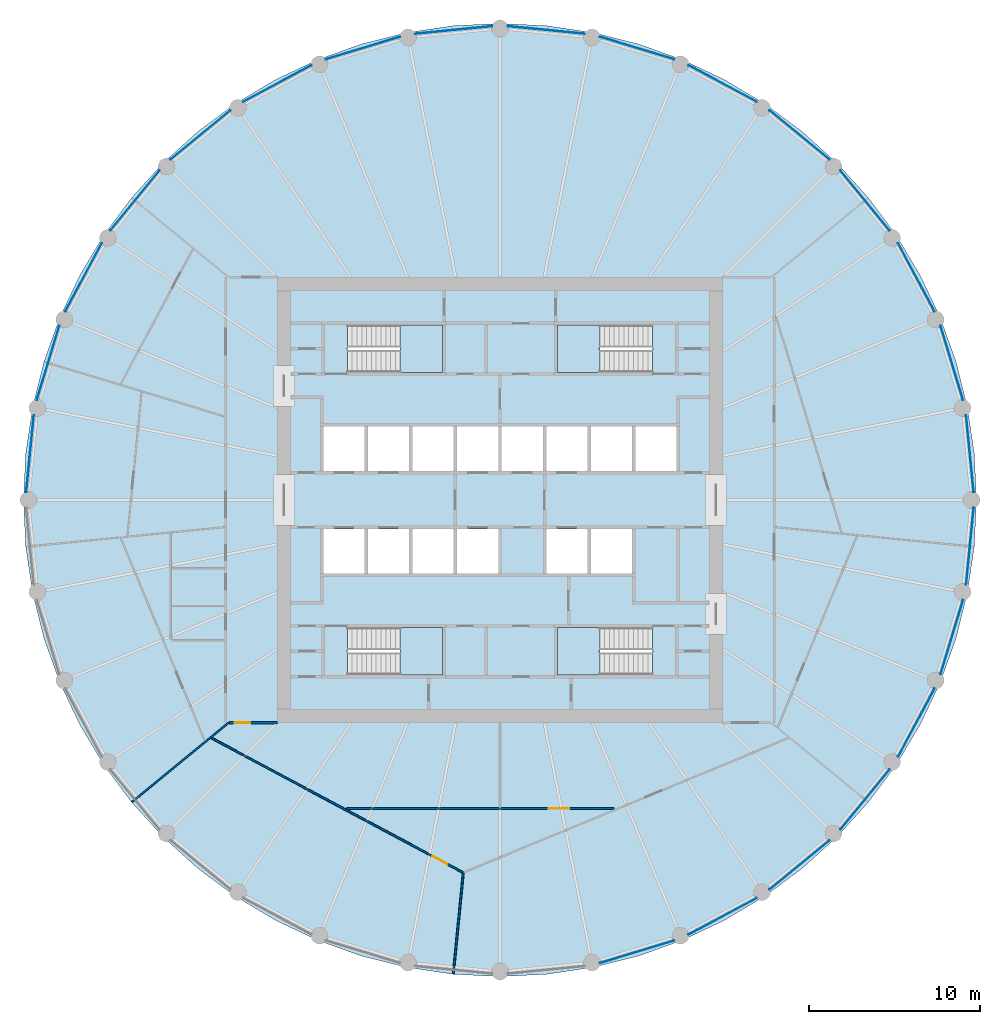
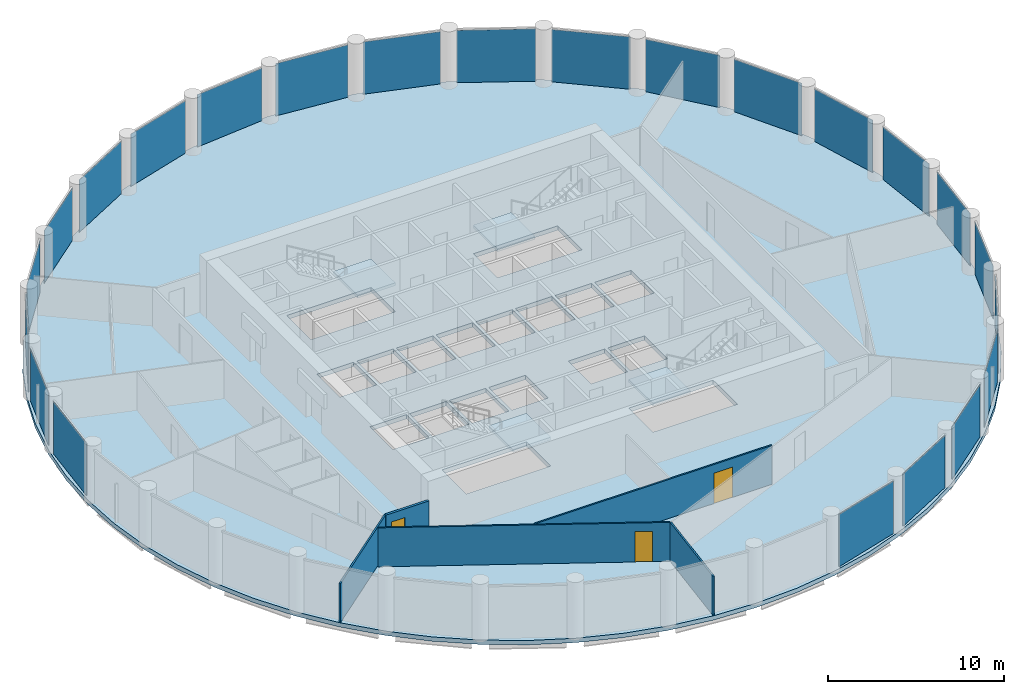
# One storey, part 3 of 9: 23 plates, 5 slabs, 5 walls, 3 doors, 3 openings, 27 elements without a shape of their own.
"""IFC4 building model written with IfcOpenShell, lengths in metres."""

from ifc_helpers import new_model, si_unit, direction, frame, frame_2d, origin, origin_2d, place, context, subcontext, project, spatial, polyline, rectangle, outline, extrude, material, layer, layer_set, type_object, element, fill, aggregate, save


model = new_model("IFC4")

# Units and contexts
model_context = context("Model", 3, precision=1e-05, world=origin(), true_north=direction((0.0, 1.0)))
body_context = subcontext(model_context, "Body", "Model", "MODEL_VIEW")
ifc_project = project(units=[si_unit("LENGTHUNIT", "METRE"), si_unit("AREAUNIT", "SQUARE_METRE"), si_unit("VOLUMEUNIT", "CUBIC_METRE"), si_unit("PLANEANGLEUNIT", "RADIAN"), si_unit("MASSUNIT", "GRAM", prefix="KILO")], contexts=[model_context])

# Site, building, storey
site_placement = place(None, origin())
site = spatial("IfcSite", under=ifc_project, at=site_placement, CompositionType="ELEMENT")
building_placement = place(site_placement, origin())
building = spatial("IfcBuilding", under=site, at=building_placement, Name="Corvane Civic Tower", CompositionType="ELEMENT")
storey_placement = place(building_placement, frame((0.0, 0.0, 221.5)))
storey = spatial("IfcBuildingStorey", under=building, at=storey_placement, Name="L52", CompositionType="ELEMENT", Elevation=221.5)

# Slab
ifc_material_1 = material(Name="Concrete C40/50", Category="concrete")
ifc_layer_1 = layer(ifc_material_1, 0.300048828125)
ifc_layer_set_1 = layer_set([ifc_layer_1], Name="Concrete C40/50")
slab_type_1 = type_object("IfcSlabType", Name="FLOOR SLAB 300", PredefinedType="FLOOR", material=ifc_layer_set_1)
slab_1_placement = place(storey_placement, frame((0.0, 0.0, -0.300048828125)))
element("IfcSlab", 1, at=slab_1_placement, inside=storey, type_object=slab_type_1, Name="SLB-L52", PredefinedType="FLOOR", context=body_context, shape_type="SweptSolid", body=[
    extrude(outline(polyline([(0.0, 27.800048828125), (-2.724853515625, 27.666015625), (-5.423583984375, 27.265869140625), (-8.06982421875, 26.60302734375), (-10.638671875, 25.683837890625), (-13.104736328125, 24.517333984375), (-15.44482421875, 23.11474609375), (-17.63623046875, 21.48974609375), (-19.657470703125, 19.657470703125), (-21.48974609375, 17.63623046875), (-23.11474609375, 15.44482421875), (-24.517333984375, 13.104736328125), (-25.683837890625, 10.638671875), (-26.60302734375, 8.06982421875), (-27.265869140625, 5.423583984375), (-27.666015625, 2.724853515625), (-27.800048828125, 0.0), (-27.666015625, -2.724853515625), (-27.265869140625, -5.423583984375), (-26.60302734375, -8.06982421875), (-25.683837890625, -10.638671875), (-24.517333984375, -13.104736328125), (-23.11474609375, -15.44482421875), (-21.48974609375, -17.63623046875), (-19.657470703125, -19.657470703125), (-17.63623046875, -21.48974609375), (-15.44482421875, -23.11474609375), (-13.104736328125, -24.517333984375), (-10.638671875, -25.683837890625), (-8.06982421875, -26.60302734375), (-5.423583984375, -27.265869140625), (-2.724853515625, -27.666015625), (0.0, -27.800048828125), (2.724853515625, -27.666015625), (5.423583984375, -27.265869140625), (8.06982421875, -26.60302734375), (10.638671875, -25.683837890625), (13.104736328125, -24.517333984375), (15.44482421875, -23.11474609375), (17.63623046875, -21.48974609375), (19.657470703125, -19.657470703125), (21.48974609375, -17.63623046875), (23.11474609375, -15.44482421875), (24.517333984375, -13.104736328125), (25.683837890625, -10.638671875), (26.60302734375, -8.06982421875), (27.265869140625, -5.423583984375), (27.666015625, -2.724853515625), (27.800048828125, 0.0), (27.666015625, 2.724853515625), (27.265869140625, 5.423583984375), (26.60302734375, 8.06982421875), (25.683837890625, 10.638671875), (24.517333984375, 13.104736328125), (23.11474609375, 15.44482421875), (21.48974609375, 17.63623046875), (19.657470703125, 19.657470703125), (17.63623046875, 21.48974609375), (15.44482421875, 23.11474609375), (13.104736328125, 24.517333984375), (10.638671875, 25.683837890625), (8.06982421875, 26.60302734375), (5.423583984375, 27.265869140625), (2.724853515625, 27.666015625), (0.0, 27.800048828125)]), holes=[polyline([(-7.89990234375, 1.699951171875), (-10.300048828125, 1.699951171875), (-10.300048828125, 4.300048828125), (-7.89990234375, 4.300048828125), (-7.89990234375, 1.699951171875)]), polyline([(-5.300048828125, 1.699951171875), (-7.699951171875, 1.699951171875), (-7.699951171875, 4.300048828125), (-5.300048828125, 4.300048828125), (-5.300048828125, 1.699951171875)]), polyline([(-5.10009765625, 4.300048828125), (-2.699951171875, 4.300048828125), (-2.699951171875, 1.699951171875), (-5.10009765625, 1.699951171875), (-5.10009765625, 4.300048828125)]), polyline([(-2.5, 4.300048828125), (-0.10009765625, 4.300048828125), (-0.10009765625, 1.699951171875), (-2.5, 1.699951171875), (-2.5, 4.300048828125)]), polyline([(0.10009765625, 4.300048828125), (2.5, 4.300048828125), (2.5, 1.699951171875), (0.10009765625, 1.699951171875), (0.10009765625, 4.300048828125)]), polyline([(5.10009765625, 4.300048828125), (5.10009765625, 1.699951171875), (2.699951171875, 1.699951171875), (2.699951171875, 4.300048828125), (5.10009765625, 4.300048828125)]), polyline([(5.300048828125, 4.300048828125), (7.699951171875, 4.300048828125), (7.699951171875, 1.699951171875), (5.300048828125, 1.699951171875), (5.300048828125, 4.300048828125)]), polyline([(7.89990234375, 4.300048828125), (10.300048828125, 4.300048828125), (10.300048828125, 1.699951171875), (7.89990234375, 1.699951171875), (7.89990234375, 4.300048828125)]), polyline([(-10.300048828125, -4.300048828125), (-10.300048828125, -1.699951171875), (-7.89990234375, -1.699951171875), (-7.89990234375, -4.300048828125), (-10.300048828125, -4.300048828125)]), polyline([(-7.699951171875, -4.300048828125), (-7.699951171875, -1.699951171875), (-5.300048828125, -1.699951171875), (-5.300048828125, -4.300048828125), (-7.699951171875, -4.300048828125)]), polyline([(-2.699951171875, -4.300048828125), (-5.10009765625, -4.300048828125), (-5.10009765625, -1.699951171875), (-2.699951171875, -1.699951171875), (-2.699951171875, -4.300048828125)]), polyline([(-0.10009765625, -4.300048828125), (-2.5, -4.300048828125), (-2.5, -1.699951171875), (-0.10009765625, -1.699951171875), (-0.10009765625, -4.300048828125)]), polyline([(5.10009765625, -1.699951171875), (5.10009765625, -4.300048828125), (2.699951171875, -4.300048828125), (2.699951171875, -1.699951171875), (5.10009765625, -1.699951171875)]), polyline([(7.699951171875, -1.699951171875), (7.699951171875, -4.300048828125), (5.300048828125, -4.300048828125), (5.300048828125, -1.699951171875), (7.699951171875, -1.699951171875)]), polyline([(8.889892578125, 10.199951171875), (8.889892578125, 7.449951171875), (3.35009765625, 7.449951171875), (3.35009765625, 10.199951171875), (8.889892578125, 10.199951171875)]), polyline([(-8.889892578125, 7.449951171875), (-8.889892578125, 10.199951171875), (-3.35009765625, 10.199951171875), (-3.35009765625, 7.449951171875), (-8.889892578125, 7.449951171875)]), polyline([(8.889892578125, -7.449951171875), (8.889892578125, -10.199951171875), (3.35009765625, -10.199951171875), (3.35009765625, -7.449951171875), (8.889892578125, -7.449951171875)]), polyline([(-8.889892578125, -10.199951171875), (-8.889892578125, -7.449951171875), (-3.35009765625, -7.449951171875), (-3.35009765625, -10.199951171875), (-8.889892578125, -10.199951171875)])]), origin(), (0.0, 0.0, 1.0), 0.300048828125),
])

# Stair, slab
ifc_material_2 = material(Name="Concrete C40/50", Category="concrete")
stair_type = type_object("IfcStairType", Name="ST-STAIR-HALFTURN", PredefinedType="HALF_TURN_STAIR", material=ifc_material_2)
stair_1_placement = place(storey_placement, origin())
stair_1 = element("IfcStair", 2, at=stair_1_placement, inside=storey, type_object=stair_type, Name="L52 Exit stair ST1", PredefinedType="HALF_TURN_STAIR")
ifc_material_3 = material(Name="Concrete C40/50", Category="concrete")
ifc_layer_2 = layer(ifc_material_3, 0.199951171875)
ifc_layer_set_2 = layer_set([ifc_layer_2], Name="Concrete C40/50")
slab_type_2 = type_object("IfcSlabType", Name="ST-LANDING-RC", PredefinedType="LANDING", material=ifc_layer_set_2)
slab_2_placement = place(storey_placement, frame((0.0, 0.0, 1.800048828125)))
slab_2 = element("IfcSlab", 3, at=slab_2_placement, type_object=slab_type_2, Name="ST1 landing 1", PredefinedType="LANDING", context=body_context, shape_type="SweptSolid", body=[
    extrude(outline(polyline([(5.820068359375, 10.199951171875), (3.35009765625, 10.199951171875), (3.35009765625, 7.449951171875), (5.820068359375, 7.449951171875), (5.820068359375, 10.199951171875)])), origin(), (0.0, 0.0, 1.0), 0.199951171875),
])
aggregate(stair_1, [slab_2])

stair_2_placement = place(storey_placement, origin())
stair_2 = element("IfcStair", 4, at=stair_2_placement, inside=storey, type_object=stair_type, Name="L52 Exit stair ST2", PredefinedType="HALF_TURN_STAIR")
slab_3_placement = place(storey_placement, frame((0.0, 0.0, 1.800048828125)))
slab_3 = element("IfcSlab", 5, at=slab_3_placement, type_object=slab_type_2, Name="ST2 landing 1", PredefinedType="LANDING", context=body_context, shape_type="SweptSolid", body=[
    extrude(outline(polyline([(5.820068359375, -7.449951171875), (3.35009765625, -7.449951171875), (3.35009765625, -10.199951171875), (5.820068359375, -10.199951171875), (5.820068359375, -7.449951171875)])), origin(), (0.0, 0.0, 1.0), 0.199951171875),
])
aggregate(stair_2, [slab_3])

stair_3_placement = place(storey_placement, origin())
stair_3 = element("IfcStair", 6, at=stair_3_placement, inside=storey, type_object=stair_type, Name="L52 Exit stair ST3", PredefinedType="HALF_TURN_STAIR")
slab_4_placement = place(storey_placement, frame((0.0, 0.0, 1.800048828125)))
slab_4 = element("IfcSlab", 7, at=slab_4_placement, type_object=slab_type_2, Name="ST3 landing 1", PredefinedType="LANDING", context=body_context, shape_type="SweptSolid", body=[
    extrude(outline(polyline([(-5.820068359375, -10.199951171875), (-3.35009765625, -10.199951171875), (-3.35009765625, -7.449951171875), (-5.820068359375, -7.449951171875), (-5.820068359375, -10.199951171875)])), origin(), (0.0, 0.0, 1.0), 0.199951171875),
])
aggregate(stair_3, [slab_4])

stair_4_placement = place(storey_placement, origin())
stair_4 = element("IfcStair", 8, at=stair_4_placement, inside=storey, type_object=stair_type, Name="L52 Exit stair ST4", PredefinedType="HALF_TURN_STAIR")
slab_5_placement = place(storey_placement, frame((0.0, 0.0, 1.800048828125)))
slab_5 = element("IfcSlab", 9, at=slab_5_placement, type_object=slab_type_2, Name="ST4 landing 1", PredefinedType="LANDING", context=body_context, shape_type="SweptSolid", body=[
    extrude(outline(polyline([(-5.820068359375, 7.449951171875), (-3.35009765625, 7.449951171875), (-3.35009765625, 10.199951171875), (-5.820068359375, 10.199951171875), (-5.820068359375, 7.449951171875)])), origin(), (0.0, 0.0, 1.0), 0.199951171875),
])
aggregate(stair_4, [slab_5])

# Curtain wall, plate
ifc_material_4 = material(Name="Anodised aluminium bronze", Category="aluminium")
curtain_wall_type = type_object("IfcCurtainWallType", Name="TOWER CW-T2 STICK CURTAIN WALL", PredefinedType="NOTDEFINED", material=ifc_material_4)
curtain_wall_1_placement = place(storey_placement, origin())
curtain_wall_1 = element("IfcCurtainWall", 10, at=curtain_wall_1_placement, inside=storey, type_object=curtain_wall_type, Name="Curtain wall CW-T2 L52 bay 01", PredefinedType="NOTDEFINED")
ifc_material_5 = material(Name="Tinted glass", Category="glass")
ifc_layer_3 = layer(ifc_material_5, 0.031982421875)
ifc_layer_set_3 = layer_set([ifc_layer_3], Name="Tinted glass")
plate_type = type_object("IfcPlateType", Name="TOWER CW-T2 PANEL IGU32", PredefinedType="CURTAIN_PANEL", material=ifc_layer_set_3)
plate_1_placement = place(storey_placement, frame((2.699951171875, 27.4140625, 0.0), z_axis=(0.0, 0.0, 1.0), x_axis=(0.995187058378, -0.097993463235, 0.0)))
plate_1 = element("IfcPlate", 11, at=plate_1_placement, type_object=plate_type, Name="Glass panel CW-T2 L52 01.1", PredefinedType="CURTAIN_PANEL", context=body_context, shape_type="SweptSolid", body=[
    extrude(rectangle(XDim=4.517333984375, YDim=0.031982421875, at=origin_2d()), origin(), (0.0, 0.0, 1.0), 3.6298828125),
])
aggregate(curtain_wall_1, [plate_1])

curtain_wall_2_placement = place(storey_placement, origin())
curtain_wall_2 = element("IfcCurtainWall", 12, at=curtain_wall_2_placement, inside=storey, type_object=curtain_wall_type, Name="Curtain wall CW-T2 L52 bay 02", PredefinedType="NOTDEFINED")
plate_2_placement = place(storey_placement, frame((7.996337890625, 26.360595703125, 0.0), z_axis=(0.0, 0.0, 1.0), x_axis=(0.956938843612, -0.290289596069, 0.0)))
plate_2 = element("IfcPlate", 13, at=plate_2_placement, type_object=plate_type, Name="Glass panel CW-T2 L52 02.1", PredefinedType="CURTAIN_PANEL", context=body_context, shape_type="SweptSolid", body=[
    extrude(rectangle(XDim=4.517333984375, YDim=0.031982421875, at=origin_2d()), origin(), (0.0, 0.0, 1.0), 3.6298828125),
])
aggregate(curtain_wall_2, [plate_2])

curtain_wall_3_placement = place(storey_placement, origin())
curtain_wall_3 = element("IfcCurtainWall", 14, at=curtain_wall_3_placement, inside=storey, type_object=curtain_wall_type, Name="Curtain wall CW-T2 L52 bay 03", PredefinedType="NOTDEFINED")
plate_3_placement = place(storey_placement, frame((12.9853515625, 24.294189453125, 0.0), z_axis=(0.0, 0.0, 1.0), x_axis=(0.881920381001, -0.471398389449, 0.0)))
plate_3 = element("IfcPlate", 15, at=plate_3_placement, type_object=plate_type, Name="Glass panel CW-T2 L52 03.1", PredefinedType="CURTAIN_PANEL", context=body_context, shape_type="SweptSolid", body=[
    extrude(rectangle(XDim=4.517333984375, YDim=0.031982421875, at=origin_2d()), origin(), (0.0, 0.0, 1.0), 3.6298828125),
])
aggregate(curtain_wall_3, [plate_3])

curtain_wall_4_placement = place(storey_placement, origin())
curtain_wall_4 = element("IfcCurtainWall", 16, at=curtain_wall_4_placement, inside=storey, type_object=curtain_wall_type, Name="Curtain wall CW-T2 L52 bay 04", PredefinedType="NOTDEFINED")
plate_4_placement = place(storey_placement, frame((17.475341796875, 21.2939453125, 0.0), z_axis=(0.0, 0.0, 1.0), x_axis=(0.773012269331, -0.634391071394, 0.0)))
plate_4 = element("IfcPlate", 17, at=plate_4_placement, type_object=plate_type, Name="Glass panel CW-T2 L52 04.1", PredefinedType="CURTAIN_PANEL", context=body_context, shape_type="SweptSolid", body=[
    extrude(rectangle(XDim=4.517333984375, YDim=0.031982421875, at=origin_2d()), origin(), (0.0, 0.0, 1.0), 3.6298828125),
])
aggregate(curtain_wall_4, [plate_4])

curtain_wall_5_placement = place(storey_placement, origin())
curtain_wall_5 = element("IfcCurtainWall", 18, at=curtain_wall_5_placement, inside=storey, type_object=curtain_wall_type, Name="Curtain wall CW-T2 L52 bay 05", PredefinedType="NOTDEFINED")
plate_5_placement = place(storey_placement, frame((21.2939453125, 17.475341796875, 0.0), z_axis=(0.0, 0.0, 1.0), x_axis=(0.634391071394, -0.773012269331, 0.0)))
plate_5 = element("IfcPlate", 19, at=plate_5_placement, type_object=plate_type, Name="Glass panel CW-T2 L52 05.1", PredefinedType="CURTAIN_PANEL", context=body_context, shape_type="SweptSolid", body=[
    extrude(rectangle(XDim=4.517333984375, YDim=0.031982421875, at=origin_2d()), origin(), (0.0, 0.0, 1.0), 3.6298828125),
])
aggregate(curtain_wall_5, [plate_5])

curtain_wall_6_placement = place(storey_placement, origin())
curtain_wall_6 = element("IfcCurtainWall", 20, at=curtain_wall_6_placement, inside=storey, type_object=curtain_wall_type, Name="Curtain wall CW-T2 L52 bay 06", PredefinedType="NOTDEFINED")
plate_6_placement = place(storey_placement, frame((24.294189453125, 12.9853515625, 0.0), z_axis=(0.0, 0.0, 1.0), x_axis=(0.471398389449, -0.881920381001, 0.0)))
plate_6 = element("IfcPlate", 21, at=plate_6_placement, type_object=plate_type, Name="Glass panel CW-T2 L52 06.1", PredefinedType="CURTAIN_PANEL", context=body_context, shape_type="SweptSolid", body=[
    extrude(rectangle(XDim=4.517333984375, YDim=0.031982421875, at=origin_2d()), origin(), (0.0, 0.0, 1.0), 3.6298828125),
])
aggregate(curtain_wall_6, [plate_6])

curtain_wall_7_placement = place(storey_placement, origin())
curtain_wall_7 = element("IfcCurtainWall", 22, at=curtain_wall_7_placement, inside=storey, type_object=curtain_wall_type, Name="Curtain wall CW-T2 L52 bay 07", PredefinedType="NOTDEFINED")
plate_7_placement = place(storey_placement, frame((26.360595703125, 7.996337890625, 0.0), z_axis=(0.0, 0.0, 1.0), x_axis=(0.290289596069, -0.956938843612, 0.0)))
plate_7 = element("IfcPlate", 23, at=plate_7_placement, type_object=plate_type, Name="Glass panel CW-T2 L52 07.1", PredefinedType="CURTAIN_PANEL", context=body_context, shape_type="SweptSolid", body=[
    extrude(rectangle(XDim=4.517333984375, YDim=0.031982421875, at=origin_2d()), origin(), (0.0, 0.0, 1.0), 3.6298828125),
])
aggregate(curtain_wall_7, [plate_7])

curtain_wall_8_placement = place(storey_placement, origin())
curtain_wall_8 = element("IfcCurtainWall", 24, at=curtain_wall_8_placement, inside=storey, type_object=curtain_wall_type, Name="Curtain wall CW-T2 L52 bay 08", PredefinedType="NOTDEFINED")
plate_8_placement = place(storey_placement, frame((27.4140625, 2.699951171875, 0.0), z_axis=(0.0, 0.0, 1.0), x_axis=(0.097993463235, -0.995187058378, 0.0)))
plate_8 = element("IfcPlate", 25, at=plate_8_placement, type_object=plate_type, Name="Glass panel CW-T2 L52 08.1", PredefinedType="CURTAIN_PANEL", context=body_context, shape_type="SweptSolid", body=[
    extrude(rectangle(XDim=4.517333984375, YDim=0.031982421875, at=origin_2d()), origin(), (0.0, 0.0, 1.0), 3.6298828125),
])
aggregate(curtain_wall_8, [plate_8])

curtain_wall_9_placement = place(storey_placement, origin())
curtain_wall_9 = element("IfcCurtainWall", 26, at=curtain_wall_9_placement, inside=storey, type_object=curtain_wall_type, Name="Curtain wall CW-T2 L52 bay 09", PredefinedType="NOTDEFINED")
plate_9_placement = place(storey_placement, frame((27.4140625, -2.699951171875, 0.0), z_axis=(0.0, 0.0, 1.0), x_axis=(-0.097993463235, -0.995187058378, 0.0)))
plate_9 = element("IfcPlate", 27, at=plate_9_placement, type_object=plate_type, Name="Glass panel CW-T2 L52 09.1", PredefinedType="CURTAIN_PANEL", context=body_context, shape_type="SweptSolid", body=[
    extrude(rectangle(XDim=4.517333984375, YDim=0.031982421875, at=origin_2d()), origin(), (0.0, 0.0, 1.0), 3.6298828125),
])
aggregate(curtain_wall_9, [plate_9])

curtain_wall_10_placement = place(storey_placement, origin())
curtain_wall_10 = element("IfcCurtainWall", 28, at=curtain_wall_10_placement, inside=storey, type_object=curtain_wall_type, Name="Curtain wall CW-T2 L52 bay 10", PredefinedType="NOTDEFINED")
plate_10_placement = place(storey_placement, frame((26.360595703125, -7.996337890625, 0.0), z_axis=(0.0, 0.0, 1.0), x_axis=(-0.290289596069, -0.956938843612, 0.0)))
plate_10 = element("IfcPlate", 29, at=plate_10_placement, type_object=plate_type, Name="Glass panel CW-T2 L52 10.1", PredefinedType="CURTAIN_PANEL", context=body_context, shape_type="SweptSolid", body=[
    extrude(rectangle(XDim=4.517333984375, YDim=0.031982421875, at=origin_2d()), origin(), (0.0, 0.0, 1.0), 3.6298828125),
])
aggregate(curtain_wall_10, [plate_10])

curtain_wall_11_placement = place(storey_placement, origin())
curtain_wall_11 = element("IfcCurtainWall", 30, at=curtain_wall_11_placement, inside=storey, type_object=curtain_wall_type, Name="Curtain wall CW-T2 L52 bay 11", PredefinedType="NOTDEFINED")
plate_11_placement = place(storey_placement, frame((24.294189453125, -12.9853515625, 0.0), z_axis=(0.0, 0.0, 1.0), x_axis=(-0.471398389449, -0.881920381001, 0.0)))
plate_11 = element("IfcPlate", 31, at=plate_11_placement, type_object=plate_type, Name="Glass panel CW-T2 L52 11.1", PredefinedType="CURTAIN_PANEL", context=body_context, shape_type="SweptSolid", body=[
    extrude(rectangle(XDim=4.517333984375, YDim=0.031982421875, at=origin_2d()), origin(), (0.0, 0.0, 1.0), 3.6298828125),
])
aggregate(curtain_wall_11, [plate_11])

curtain_wall_12_placement = place(storey_placement, origin())
curtain_wall_12 = element("IfcCurtainWall", 32, at=curtain_wall_12_placement, inside=storey, type_object=curtain_wall_type, Name="Curtain wall CW-T2 L52 bay 12", PredefinedType="NOTDEFINED")
plate_12_placement = place(storey_placement, frame((21.2939453125, -17.475341796875, 0.0), z_axis=(0.0, 0.0, 1.0), x_axis=(-0.634391071394, -0.773012269331, 0.0)))
plate_12 = element("IfcPlate", 33, at=plate_12_placement, type_object=plate_type, Name="Glass panel CW-T2 L52 12.1", PredefinedType="CURTAIN_PANEL", context=body_context, shape_type="SweptSolid", body=[
    extrude(rectangle(XDim=4.517333984375, YDim=0.031982421875, at=origin_2d()), origin(), (0.0, 0.0, 1.0), 3.6298828125),
])
aggregate(curtain_wall_12, [plate_12])

curtain_wall_13_placement = place(storey_placement, origin())
curtain_wall_13 = element("IfcCurtainWall", 34, at=curtain_wall_13_placement, inside=storey, type_object=curtain_wall_type, Name="Curtain wall CW-T2 L52 bay 13", PredefinedType="NOTDEFINED")
plate_13_placement = place(storey_placement, frame((17.475341796875, -21.2939453125, 0.0), z_axis=(0.0, 0.0, 1.0), x_axis=(-0.773012269331, -0.634391071394, 0.0)))
plate_13 = element("IfcPlate", 35, at=plate_13_placement, type_object=plate_type, Name="Glass panel CW-T2 L52 13.1", PredefinedType="CURTAIN_PANEL", context=body_context, shape_type="SweptSolid", body=[
    extrude(rectangle(XDim=4.517333984375, YDim=0.031982421875, at=origin_2d()), origin(), (0.0, 0.0, 1.0), 3.6298828125),
])
aggregate(curtain_wall_13, [plate_13])

curtain_wall_14_placement = place(storey_placement, origin())
curtain_wall_14 = element("IfcCurtainWall", 36, at=curtain_wall_14_placement, inside=storey, type_object=curtain_wall_type, Name="Curtain wall CW-T2 L52 bay 14", PredefinedType="NOTDEFINED")
plate_14_placement = place(storey_placement, frame((12.9853515625, -24.294189453125, 0.0), z_axis=(0.0, 0.0, 1.0), x_axis=(-0.881920381001, -0.471398389449, 0.0)))
plate_14 = element("IfcPlate", 37, at=plate_14_placement, type_object=plate_type, Name="Glass panel CW-T2 L52 14.1", PredefinedType="CURTAIN_PANEL", context=body_context, shape_type="SweptSolid", body=[
    extrude(rectangle(XDim=4.517333984375, YDim=0.031982421875, at=origin_2d()), origin(), (0.0, 0.0, 1.0), 3.6298828125),
])
aggregate(curtain_wall_14, [plate_14])

curtain_wall_15_placement = place(storey_placement, origin())
curtain_wall_15 = element("IfcCurtainWall", 38, at=curtain_wall_15_placement, inside=storey, type_object=curtain_wall_type, Name="Curtain wall CW-T2 L52 bay 15", PredefinedType="NOTDEFINED")
plate_15_placement = place(storey_placement, frame((7.996337890625, -26.360595703125, 0.0), z_axis=(0.0, 0.0, 1.0), x_axis=(-0.956938843612, -0.290289596069, 0.0)))
plate_15 = element("IfcPlate", 39, at=plate_15_placement, type_object=plate_type, Name="Glass panel CW-T2 L52 15.1", PredefinedType="CURTAIN_PANEL", context=body_context, shape_type="SweptSolid", body=[
    extrude(rectangle(XDim=4.517333984375, YDim=0.031982421875, at=origin_2d()), origin(), (0.0, 0.0, 1.0), 3.6298828125),
])
aggregate(curtain_wall_15, [plate_15])

curtain_wall_16_placement = place(storey_placement, origin())
curtain_wall_16 = element("IfcCurtainWall", 40, at=curtain_wall_16_placement, inside=storey, type_object=curtain_wall_type, Name="Curtain wall CW-T2 L52 bay 25", PredefinedType="NOTDEFINED")
plate_16_placement = place(storey_placement, frame((-27.4140625, 2.699951171875, 0.0), z_axis=(0.0, 0.0, 1.0), x_axis=(0.097993463235, 0.995187058378, 0.0)))
plate_16 = element("IfcPlate", 41, at=plate_16_placement, type_object=plate_type, Name="Glass panel CW-T2 L52 25.1", PredefinedType="CURTAIN_PANEL", context=body_context, shape_type="SweptSolid", body=[
    extrude(rectangle(XDim=4.517333984375, YDim=0.031982421875, at=origin_2d()), origin(), (0.0, 0.0, 1.0), 3.6298828125),
])
aggregate(curtain_wall_16, [plate_16])

curtain_wall_17_placement = place(storey_placement, origin())
curtain_wall_17 = element("IfcCurtainWall", 42, at=curtain_wall_17_placement, inside=storey, type_object=curtain_wall_type, Name="Curtain wall CW-T2 L52 bay 26", PredefinedType="NOTDEFINED")
plate_17_placement = place(storey_placement, frame((-26.360595703125, 7.996337890625, 0.0), z_axis=(0.0, 0.0, 1.0), x_axis=(0.290289596069, 0.956938843612, 0.0)))
plate_17 = element("IfcPlate", 43, at=plate_17_placement, type_object=plate_type, Name="Glass panel CW-T2 L52 26.1", PredefinedType="CURTAIN_PANEL", context=body_context, shape_type="SweptSolid", body=[
    extrude(rectangle(XDim=4.517333984375, YDim=0.031982421875, at=origin_2d()), origin(), (0.0, 0.0, 1.0), 3.6298828125),
])
aggregate(curtain_wall_17, [plate_17])

curtain_wall_18_placement = place(storey_placement, origin())
curtain_wall_18 = element("IfcCurtainWall", 44, at=curtain_wall_18_placement, inside=storey, type_object=curtain_wall_type, Name="Curtain wall CW-T2 L52 bay 27", PredefinedType="NOTDEFINED")
plate_18_placement = place(storey_placement, frame((-24.294189453125, 12.9853515625, 0.0), z_axis=(0.0, 0.0, 1.0), x_axis=(0.471398389449, 0.881920381001, 0.0)))
plate_18 = element("IfcPlate", 45, at=plate_18_placement, type_object=plate_type, Name="Glass panel CW-T2 L52 27.1", PredefinedType="CURTAIN_PANEL", context=body_context, shape_type="SweptSolid", body=[
    extrude(rectangle(XDim=4.517333984375, YDim=0.031982421875, at=origin_2d()), origin(), (0.0, 0.0, 1.0), 3.6298828125),
])
aggregate(curtain_wall_18, [plate_18])

curtain_wall_19_placement = place(storey_placement, origin())
curtain_wall_19 = element("IfcCurtainWall", 46, at=curtain_wall_19_placement, inside=storey, type_object=curtain_wall_type, Name="Curtain wall CW-T2 L52 bay 28", PredefinedType="NOTDEFINED")
plate_19_placement = place(storey_placement, frame((-21.2939453125, 17.475341796875, 0.0), z_axis=(0.0, 0.0, 1.0), x_axis=(0.634391071394, 0.773012269331, 0.0)))
plate_19 = element("IfcPlate", 47, at=plate_19_placement, type_object=plate_type, Name="Glass panel CW-T2 L52 28.1", PredefinedType="CURTAIN_PANEL", context=body_context, shape_type="SweptSolid", body=[
    extrude(rectangle(XDim=4.517333984375, YDim=0.031982421875, at=origin_2d()), origin(), (0.0, 0.0, 1.0), 3.6298828125),
])
aggregate(curtain_wall_19, [plate_19])

curtain_wall_20_placement = place(storey_placement, origin())
curtain_wall_20 = element("IfcCurtainWall", 48, at=curtain_wall_20_placement, inside=storey, type_object=curtain_wall_type, Name="Curtain wall CW-T2 L52 bay 29", PredefinedType="NOTDEFINED")
plate_20_placement = place(storey_placement, frame((-17.475341796875, 21.2939453125, 0.0), z_axis=(0.0, 0.0, 1.0), x_axis=(0.773012269331, 0.634391071394, 0.0)))
plate_20 = element("IfcPlate", 49, at=plate_20_placement, type_object=plate_type, Name="Glass panel CW-T2 L52 29.1", PredefinedType="CURTAIN_PANEL", context=body_context, shape_type="SweptSolid", body=[
    extrude(rectangle(XDim=4.517333984375, YDim=0.031982421875, at=origin_2d()), origin(), (0.0, 0.0, 1.0), 3.6298828125),
])
aggregate(curtain_wall_20, [plate_20])

curtain_wall_21_placement = place(storey_placement, origin())
curtain_wall_21 = element("IfcCurtainWall", 50, at=curtain_wall_21_placement, inside=storey, type_object=curtain_wall_type, Name="Curtain wall CW-T2 L52 bay 30", PredefinedType="NOTDEFINED")
plate_21_placement = place(storey_placement, frame((-12.9853515625, 24.294189453125, 0.0), z_axis=(0.0, 0.0, 1.0), x_axis=(0.881920381001, 0.471398389449, 0.0)))
plate_21 = element("IfcPlate", 51, at=plate_21_placement, type_object=plate_type, Name="Glass panel CW-T2 L52 30.1", PredefinedType="CURTAIN_PANEL", context=body_context, shape_type="SweptSolid", body=[
    extrude(rectangle(XDim=4.517333984375, YDim=0.031982421875, at=origin_2d()), origin(), (0.0, 0.0, 1.0), 3.6298828125),
])
aggregate(curtain_wall_21, [plate_21])

curtain_wall_22_placement = place(storey_placement, origin())
curtain_wall_22 = element("IfcCurtainWall", 52, at=curtain_wall_22_placement, inside=storey, type_object=curtain_wall_type, Name="Curtain wall CW-T2 L52 bay 31", PredefinedType="NOTDEFINED")
plate_22_placement = place(storey_placement, frame((-7.996337890625, 26.360595703125, 0.0), z_axis=(0.0, 0.0, 1.0), x_axis=(0.956938843612, 0.290289596069, 0.0)))
plate_22 = element("IfcPlate", 53, at=plate_22_placement, type_object=plate_type, Name="Glass panel CW-T2 L52 31.1", PredefinedType="CURTAIN_PANEL", context=body_context, shape_type="SweptSolid", body=[
    extrude(rectangle(XDim=4.517333984375, YDim=0.031982421875, at=origin_2d()), origin(), (0.0, 0.0, 1.0), 3.6298828125),
])
aggregate(curtain_wall_22, [plate_22])

curtain_wall_23_placement = place(storey_placement, origin())
curtain_wall_23 = element("IfcCurtainWall", 54, at=curtain_wall_23_placement, inside=storey, type_object=curtain_wall_type, Name="Curtain wall CW-T2 L52 bay 32", PredefinedType="NOTDEFINED")
plate_23_placement = place(storey_placement, frame((-2.699951171875, 27.4140625, 0.0), z_axis=(0.0, 0.0, 1.0), x_axis=(0.995187058378, 0.097993463235, 0.0)))
plate_23 = element("IfcPlate", 55, at=plate_23_placement, type_object=plate_type, Name="Glass panel CW-T2 L52 32.1", PredefinedType="CURTAIN_PANEL", context=body_context, shape_type="SweptSolid", body=[
    extrude(rectangle(XDim=4.517333984375, YDim=0.031982421875, at=origin_2d()), origin(), (0.0, 0.0, 1.0), 3.6298828125),
])
aggregate(curtain_wall_23, [plate_23])

# Wall
ifc_material_6 = material(Name="Plasterboard")
ifc_layer_4 = layer(ifc_material_6, 0.10009765625)
ifc_layer_set_4 = layer_set([ifc_layer_4], Name="Plasterboard")
wall_type_1 = type_object("IfcWallType", Name="Partition 100 plasterboard on studs", PredefinedType="PARTITIONING", material=ifc_layer_set_4)
wall_1_placement = place(storey_placement, frame((-2.719970703125, -27.616455078125, 0.0), z_axis=(0.0, 0.0, 1.0), x_axis=(0.098009744107, 0.995185455109, 0.0)))
element("IfcWall", 56, at=wall_1_placement, inside=storey, type_object=wall_type_1, Name="Partition L52.001", PredefinedType="PARTITIONING", context=body_context, shape_type="SweptSolid", body=[
    extrude(rectangle(XDim=5.873779296875, YDim=0.10009765625, at=frame_2d((2.93701171875, 0.0))), origin(), (0.0, 0.0, 1.0), 2.699951171875),
])

# Wall, opening, door
wall_2_placement = place(storey_placement, frame((-16.81884765625, -13.892333984375, 0.0), z_axis=(0.0, 0.0, 1.0), x_axis=(0.881919236534, -0.471400530581, 0.0)))
wall_2 = element("IfcWall", 57, at=wall_2_placement, inside=storey, type_object=wall_type_1, Name="Partition L52.003", PredefinedType="PARTITIONING", context=body_context, shape_type="SweptSolid", body=[
    extrude(rectangle(XDim=16.609619140625, YDim=0.10009765625, at=frame_2d((8.3046875, 0.0))), origin(), (0.0, 0.0, 1.0), 2.699951171875),
])
opening_1_placement = place(wall_2_placement, frame((14.60888671875, 0.0, 0.0)))
opening_1 = element("IfcOpeningElement", 58, at=opening_1_placement, cuts=wall_2, Name="Opening L52.003", PredefinedType="OPENING", context=body_context, shape_type="SweptSolid", body=[
    extrude(rectangle(XDim=1.0, YDim=2.10009765625, at=frame_2d((0.5, 1.050048828125))), frame((0.0, 0.06005859375, 0.0), z_axis=(0.0, -1.0, 0.0), x_axis=(1.0, 0.0, 0.0)), (0.0, 0.0, 1.0), 0.1201171875),
])
ifc_material_7 = material(Name="Timber", Category="wood")
door_type_1 = type_object("IfcDoorType", Name="Single door 1000", OperationType="NOTDEFINED", PredefinedType="DOOR", material=ifc_material_7)
door_1_placement = place(opening_1_placement, frame((1.0, 0.0, 0.0), z_axis=(0.0, 0.0, 1.0), x_axis=(-1.0, 0.0, 0.0)))
door_1 = element("IfcDoor", 59, at=door_1_placement, inside=storey, type_object=door_type_1, Name="Door L52.003", OperationType="SINGLE_SWING_LEFT", OverallHeight=2.10009765625, OverallWidth=1.0, PredefinedType="DOOR", context=body_context, shape_type="SweptSolid", body=[
    extrude(rectangle(XDim=1.0, YDim=2.10009765625, at=frame_2d((0.5, 1.050048828125))), frame((0.0, 0.02490234375, 0.0), z_axis=(0.0, -1.0, 0.0), x_axis=(1.0, 0.0, 0.0)), (0.0, 0.0, 1.0), 0.050048828125),
])
fill(opening_1, door_1)

wall_3_placement = place(storey_placement, frame((-8.9345703125, -18.0, 0.0), z_axis=(0.0, 0.0, 1.0), x_axis=(1.0, 0.0, 0.0)))
wall_3 = element("IfcWall", 60, at=wall_3_placement, inside=storey, type_object=wall_type_1, Name="Partition L52.004", PredefinedType="PARTITIONING", context=body_context, shape_type="SweptSolid", body=[
    extrude(rectangle(XDim=15.566162109375, YDim=0.10009765625, at=frame_2d((7.783203125, 0.0))), origin(), (0.0, 0.0, 1.0), 2.699951171875),
])
opening_2_placement = place(wall_3_placement, frame((11.77587890625, 0.0, 0.0)))
opening_2 = element("IfcOpeningElement", 61, at=opening_2_placement, cuts=wall_3, Name="Opening L52.004", PredefinedType="OPENING", context=body_context, shape_type="SweptSolid", body=[
    extrude(rectangle(XDim=1.199951171875, YDim=2.10009765625, at=frame_2d((0.60009765625, 1.050048828125))), frame((0.0, 0.06005859375, 0.0), z_axis=(0.0, -1.0, 0.0), x_axis=(1.0, 0.0, 0.0)), (0.0, 0.0, 1.0), 0.1201171875),
])
ifc_material_8 = material(Name="Timber", Category="wood")
door_type_2 = type_object("IfcDoorType", Name="Double door 1200", OperationType="NOTDEFINED", PredefinedType="DOOR", material=ifc_material_8)
door_2_placement = place(opening_2_placement, frame((1.199951171875, 0.0, 0.0), z_axis=(0.0, 0.0, 1.0), x_axis=(-1.0, 0.0, 0.0)))
door_2 = element("IfcDoor", 62, at=door_2_placement, inside=storey, type_object=door_type_2, Name="Door L52.004", OperationType="DOUBLE_DOOR_SINGLE_SWING", OverallHeight=2.10009765625, OverallWidth=1.199951171875, PredefinedType="DOOR", context=body_context, shape_type="SweptSolid", body=[
    extrude(rectangle(XDim=1.199951171875, YDim=2.10009765625, at=frame_2d((0.60009765625, 1.050048828125))), frame((0.0, 0.02490234375, 0.0), z_axis=(0.0, -1.0, 0.0), x_axis=(1.0, 0.0, 0.0)), (0.0, 0.0, 1.0), 0.050048828125),
])
fill(opening_2, door_2)

# Wall
wall_4_placement = place(storey_placement, frame((-21.451171875, -17.6044921875, 0.0), z_axis=(0.0, 0.0, 1.0), x_axis=(0.772997895748, 0.634408585352, 0.0)))
element("IfcWall", 63, at=wall_4_placement, inside=storey, type_object=wall_type_1, Name="Partition L52.006", PredefinedType="PARTITIONING", context=body_context, shape_type="SweptSolid", body=[
    extrude(rectangle(XDim=7.240234375, YDim=0.10009765625, at=frame_2d((3.6201171875, 0.0))), origin(), (0.0, 0.0, 1.0), 2.699951171875),
])

# Wall, opening, door
ifc_material_9 = material(Name="Plasterboard")
ifc_layer_5 = layer(ifc_material_9, 0.14990234375)
ifc_layer_set_5 = layer_set([ifc_layer_5], Name="Plasterboard")
wall_type_2 = type_object("IfcWallType", Name="Tenancy wall 150 EI 60", PredefinedType="PARTITIONING", material=ifc_layer_set_5)
wall_5_placement = place(storey_placement, frame((-15.813720703125, -13.0, 0.0), z_axis=(0.0, 0.0, 1.0), x_axis=(1.0, 0.0, 0.0)))
wall_5 = element("IfcWall", 64, at=wall_5_placement, inside=storey, type_object=wall_type_2, Name="Partition L52.011", PredefinedType="PARTITIONING", context=body_context, shape_type="SweptSolid", body=[
    extrude(rectangle(XDim=2.82373046875, YDim=0.14990234375, at=frame_2d((1.411865234375, 0.0))), origin(), (0.0, 0.0, 1.0), 2.699951171875),
])
opening_3_placement = place(wall_5_placement, frame((0.353759765625, 0.0, 0.0)))
opening_3 = element("IfcOpeningElement", 65, at=opening_3_placement, cuts=wall_5, Name="Opening L52.006", PredefinedType="OPENING", context=body_context, shape_type="SweptSolid", body=[
    extrude(rectangle(XDim=0.89990234375, YDim=2.10009765625, at=frame_2d((0.449951171875, 1.050048828125))), frame((0.0, 0.0849609375, 0.0), z_axis=(0.0, -1.0, 0.0), x_axis=(1.0, 0.0, 0.0)), (0.0, 0.0, 1.0), 0.169921875),
])
ifc_material_10 = material(Name="Steel and timber", Category="steel")
door_type_3 = type_object("IfcDoorType", Name="Fire door FD30S 900", OperationType="NOTDEFINED", PredefinedType="DOOR", material=ifc_material_10)
door_3_placement = place(opening_3_placement, frame((0.89990234375, 0.0, 0.0), z_axis=(0.0, 0.0, 1.0), x_axis=(-1.0, 0.0, 0.0)))
door_3 = element("IfcDoor", 66, at=door_3_placement, inside=storey, type_object=door_type_3, Name="Door L52.006", OperationType="SINGLE_SWING_LEFT", OverallHeight=2.10009765625, OverallWidth=0.89990234375, PredefinedType="DOOR", context=body_context, shape_type="SweptSolid", body=[
    extrude(rectangle(XDim=0.89990234375, YDim=2.10009765625, at=frame_2d((0.449951171875, 1.050048828125))), frame((0.0, 0.02490234375, 0.0), z_axis=(0.0, -1.0, 0.0), x_axis=(1.0, 0.0, 0.0)), (0.0, 0.0, 1.0), 0.050048828125),
])
fill(opening_3, door_3)

save(model, "model.ifc")
